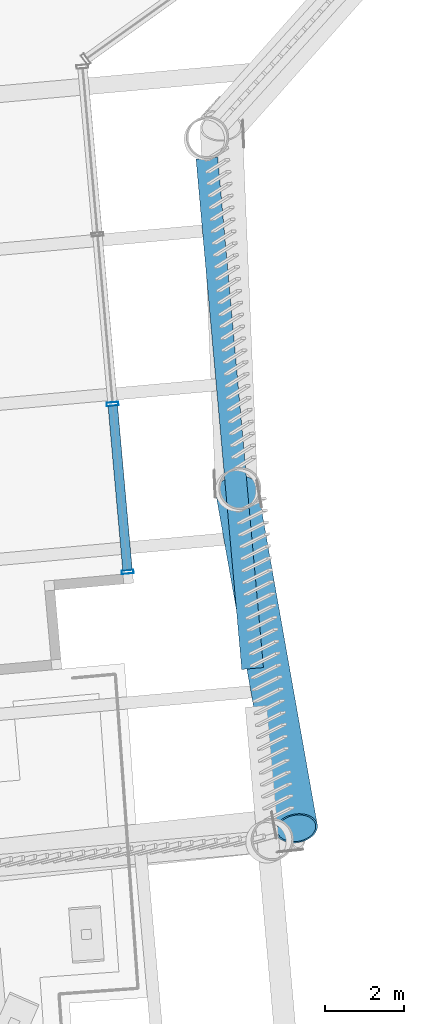
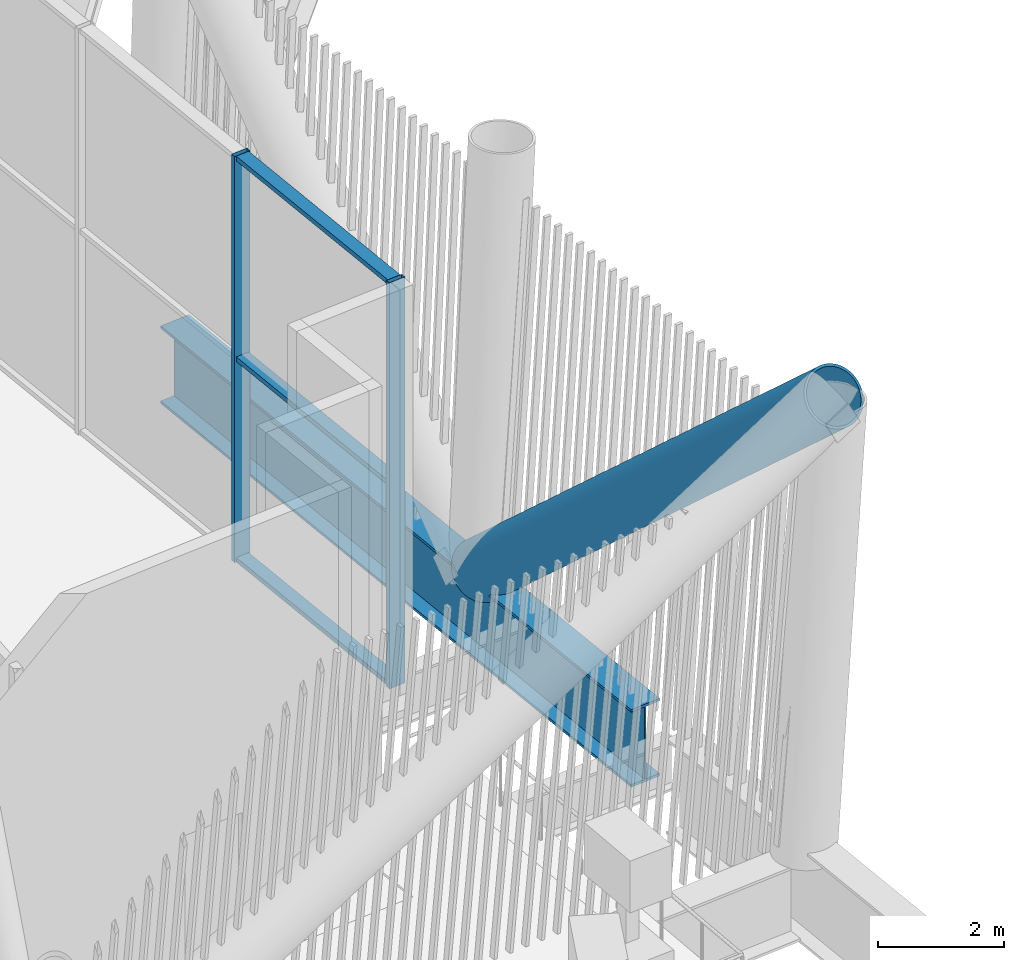
# One storey, part 8 of 55: 6 members, 1 beam, 1 element without a shape of its own.
"""IFC4 building model written with IfcOpenShell, lengths in metres."""

from ifc_helpers import new_model, si_unit, direction, frame, origin, origin_2d, place, context, subcontext, project, spatial, hollow_rectangle, hollow_circle, i_section, extrude, material, layer, layer_set, material_profile, profile_set, type_object, element, aggregate, save


model = new_model("IFC4")

# Units and contexts
model_context = context("Model", 3, precision=1e-05, world=origin(), true_north=direction((0.0, 1.0)))
body_context = subcontext(model_context, "Body", "Model", "MODEL_VIEW")
ifc_project = project(units=[si_unit("LENGTHUNIT", "METRE"), si_unit("AREAUNIT", "SQUARE_METRE"), si_unit("VOLUMEUNIT", "CUBIC_METRE"), si_unit("PLANEANGLEUNIT", "RADIAN"), si_unit("MASSUNIT", "GRAM", prefix="KILO")], contexts=[model_context])

# Site, building, storey
site_placement = place(None, origin())
site = spatial("IfcSite", under=ifc_project, at=site_placement, CompositionType="ELEMENT")
building_placement = place(site_placement, origin())
building = spatial("IfcBuilding", under=site, at=building_placement, Name="Tarsis Ring Headquarters", CompositionType="ELEMENT")
storey_placement = place(building_placement, frame((0.0, 0.0, 247.199951171875)))
storey = spatial("IfcBuildingStorey", under=building, at=storey_placement, Name="L58", CompositionType="ELEMENT", Elevation=247.199951171875)

# Curtain wall, members
ifc_material_1 = material(Name="Aluminium curtain wall", Category="aluminium")
ifc_layer = layer(ifc_material_1, 0.300048828125)
ifc_layer_set = layer_set([ifc_layer], Name="Curtain wall upper sky lobby")
curtain_wall_type = type_object("IfcCurtainWallType", Name="Curtain wall upper sky lobby", PredefinedType="NOTDEFINED", material=ifc_layer_set)
curtain_wall_placement = place(storey_placement, origin())
curtain_wall = element("IfcCurtainWall", 1, at=curtain_wall_placement, inside=storey, type_object=curtain_wall_type, Name="Curtain wall L58-16", PredefinedType="NOTDEFINED")
ifc_material_2 = material(Name="Aluminium mullion", Category="aluminium")
ifc_material_profile_1 = material_profile(ifc_material_2, hollow_rectangle(XDim=0.300048828125, YDim=0.090087890625, WallThickness=0.0048828125, at=origin_2d()), Name="RHS 300x90x5")
ifc_profile_set_1 = profile_set([ifc_material_profile_1], Name="Aluminium mullion")
member_type_1 = type_object("IfcMemberType", Name="Curtain wall mullion upper sky lobby RHS 300x90x5", PredefinedType="MULLION", material=ifc_profile_set_1)
member_1_placement = place(storey_placement, frame((15.013916015625, -34.502685546875, 0.0), z_axis=(0.0, 0.0, 1.0), x_axis=(-0.996009978505, -0.089241933627, 0.0)))
member_1 = element("IfcMember", 2, at=member_1_placement, type_object=member_type_1, Name="CW-U mullion 1", PredefinedType="MULLION", context=body_context, shape_type="SweptSolid", body=[
    extrude(hollow_rectangle(XDim=0.300048828125, YDim=0.090087890625, WallThickness=0.0048828125, at=origin_2d()), origin(), (0.0, 0.0, 1.0), 7.840087890625),
])
member_2_placement = place(storey_placement, frame((14.63427734375, -30.264404296875, 0.0), z_axis=(0.0, 0.0, 1.0), x_axis=(-0.996009978505, -0.089241933627, 0.0)))
member_2 = element("IfcMember", 3, at=member_2_placement, type_object=member_type_1, Name="CW-U mullion 2", PredefinedType="MULLION", context=body_context, shape_type="SweptSolid", body=[
    extrude(hollow_rectangle(XDim=0.300048828125, YDim=0.090087890625, WallThickness=0.0048828125, at=origin_2d()), origin(), (0.0, 0.0, 1.0), 7.840087890625),
])
ifc_material_3 = material(Name="Aluminium transom", Category="aluminium")
ifc_material_profile_2 = material_profile(ifc_material_3, hollow_rectangle(XDim=0.239990234375, YDim=0.090087890625, WallThickness=0.0048828125, at=origin_2d()), Name="RHS 240x90x5")
ifc_profile_set_2 = profile_set([ifc_material_profile_2], Name="Aluminium transom")
member_type_2 = type_object("IfcMemberType", Name="Curtain wall transom upper sky lobby RHS 240x90x5", PredefinedType="USERDEFINED", material=ifc_profile_set_2)
member_3_placement = place(storey_placement, frame((15.010009765625, -34.4580078125, 0.045166015625), z_axis=(-0.089262118543, 0.996008169742, 0.0), x_axis=(-0.996008169742, -0.089262118543, 0.0)))
member_3 = element("IfcMember", 4, at=member_3_placement, type_object=member_type_2, Name="CW-U transom 1.1", ObjectType="TRANSOM", PredefinedType="USERDEFINED", context=body_context, shape_type="SweptSolid", body=[
    extrude(hollow_rectangle(XDim=0.239990234375, YDim=0.090087890625, WallThickness=0.0048828125, at=origin_2d()), origin(), (0.0, 0.0, 1.0), 4.16552734375),
])
member_4_placement = place(storey_placement, frame((15.010009765625, -34.4580078125, 3.920166015625), z_axis=(-0.089262118543, 0.996008169742, 0.0), x_axis=(-0.996008169742, -0.089262118543, 0.0)))
member_4 = element("IfcMember", 5, at=member_4_placement, type_object=member_type_2, Name="CW-U transom 1.2", ObjectType="TRANSOM", PredefinedType="USERDEFINED", context=body_context, shape_type="SweptSolid", body=[
    extrude(hollow_rectangle(XDim=0.239990234375, YDim=0.090087890625, WallThickness=0.0048828125, at=origin_2d()), origin(), (0.0, 0.0, 1.0), 4.16552734375),
])
member_5_placement = place(storey_placement, frame((15.010009765625, -34.4580078125, 7.795166015625), z_axis=(-0.089262118543, 0.996008169742, 0.0), x_axis=(-0.996008169742, -0.089262118543, 0.0)))
member_5 = element("IfcMember", 6, at=member_5_placement, type_object=member_type_2, Name="CW-U transom 1.3", ObjectType="TRANSOM", PredefinedType="USERDEFINED", context=body_context, shape_type="SweptSolid", body=[
    extrude(hollow_rectangle(XDim=0.239990234375, YDim=0.090087890625, WallThickness=0.0048828125, at=origin_2d()), origin(), (0.0, 0.0, 1.0), 4.16552734375),
])
aggregate(curtain_wall, [member_1, member_2, member_3, member_4, member_5])

# Member
ifc_material_4 = material(Name="Structural steel S355", Category="steel")
ifc_material_profile_3 = material_profile(ifc_material_4, hollow_circle(Radius=0.533447265625, WallThickness=0.044921875, at=origin_2d()), Name="CHS 1067x45")
ifc_profile_set_3 = profile_set([ifc_material_profile_3], Name="Structural steel S355")
member_type_3 = type_object("IfcMemberType", Name="TD Belt truss diagonal CHS 1067x45", PredefinedType="BRACE", material=ifc_profile_set_3)
member_6_placement = place(storey_placement, frame((17.76611328125, -32.441650390625, 0.0), z_axis=(0.128210016262, -0.723646719712, 0.678157516202), x_axis=(0.984665112957, 0.174455195755, 0.0)))
element("IfcMember", 7, at=member_6_placement, inside=storey, type_object=member_type_3, Name="Belt truss diagonal TD5", PredefinedType="BRACE", context=body_context, shape_type="SweptSolid", body=[
    extrude(hollow_circle(Radius=0.533447265625, WallThickness=0.044921875, at=origin_2d()), origin(), (0.0, 0.0, 1.0), 11.796630859375),
])

# Beam
ifc_material_profile_4 = material_profile(ifc_material_4, i_section(OverallWidth=0.550048828125, OverallDepth=1.5, WebThickness=0.030029296875, FlangeThickness=0.050048828125, at=origin_2d()), Name="PG 1500x550x30x50")
ifc_profile_set_4 = profile_set([ifc_material_profile_4], Name="Structural steel S355")
beam_type = type_object("IfcBeamType", Name="XG Ring girder PG 1500x550x30x50", PredefinedType="BEAM", material=ifc_profile_set_4)
beam_placement = place(storey_placement, frame((17.014404296875, -24.05322265625, -0.75), z_axis=(0.089246412051, -0.996009577231, 0.0), x_axis=(0.996009577231, 0.089246412051, 0.0)))
element("IfcBeam", 8, at=beam_placement, inside=storey, type_object=beam_type, Name="Ring girder XG6", PredefinedType="BEAM", context=body_context, shape_type="SweptSolid", body=[
    extrude(i_section(OverallWidth=0.550048828125, OverallDepth=1.5, WebThickness=0.030029296875, FlangeThickness=0.050048828125, at=origin_2d()), origin(), (0.0, 0.0, 1.0), 12.942138671875),
])

save(model, "model.ifc")
